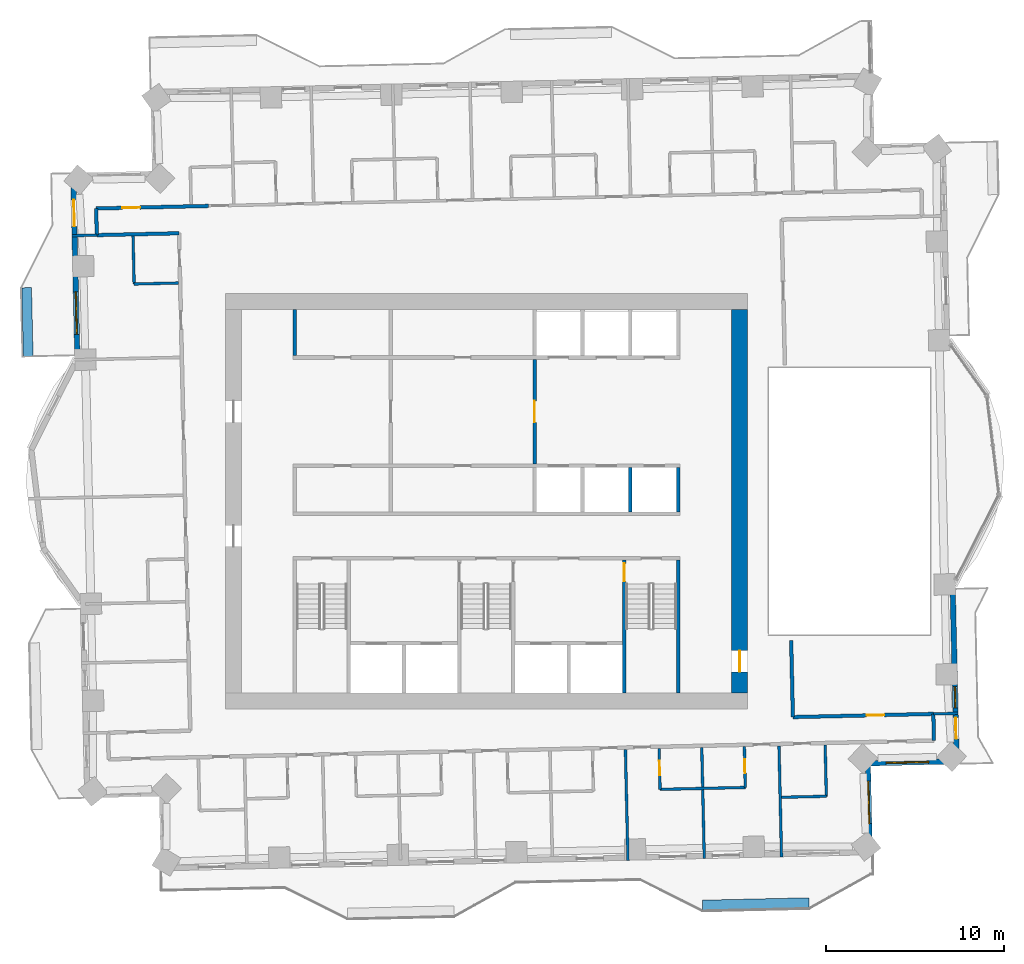
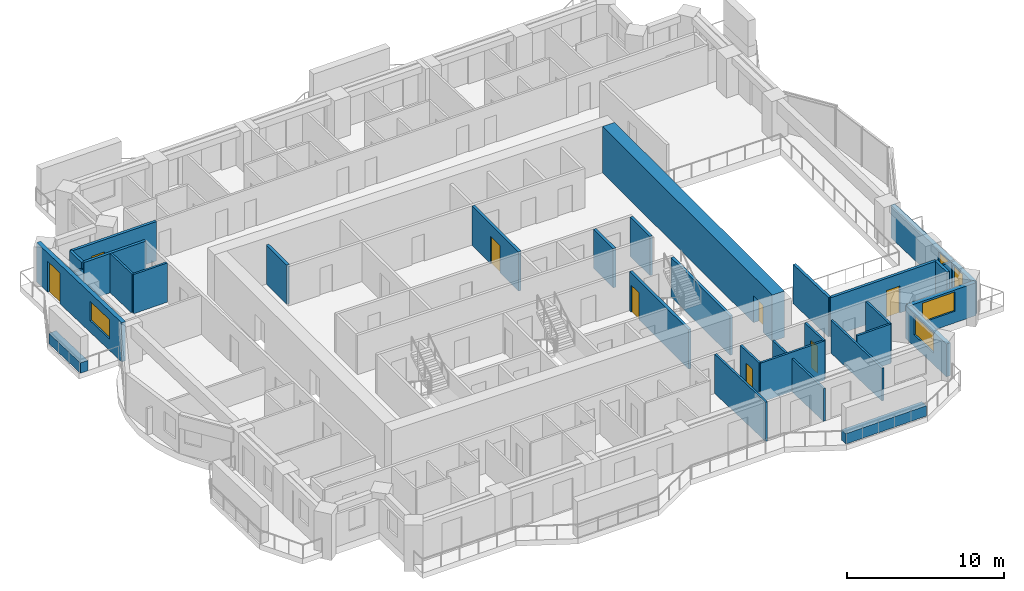
# One storey, part 7 of 14: 31 walls, 9 doors, 4 windows, 13 openings.
"""IFC4 building model written with IfcOpenShell, lengths in metres."""

from ifc_helpers import new_model, si_unit, direction, frame, frame_2d, origin, place, context, subcontext, project, spatial, rectangle, extrude, material, layer, layer_set, type_object, element, fill, save


model = new_model("IFC4")

# Units and contexts
model_context = context("Model", 3, precision=1e-05, world=origin(), true_north=direction((0.0, 1.0)))
body_context = subcontext(model_context, "Body", "Model", "MODEL_VIEW")
ifc_project = project(units=[si_unit("LENGTHUNIT", "METRE"), si_unit("AREAUNIT", "SQUARE_METRE"), si_unit("VOLUMEUNIT", "CUBIC_METRE"), si_unit("PLANEANGLEUNIT", "RADIAN"), si_unit("MASSUNIT", "GRAM", prefix="KILO")], contexts=[model_context])

# Site, building, storey
site_placement = place(None, origin())
site = spatial("IfcSite", under=ifc_project, at=site_placement, CompositionType="ELEMENT")
building_placement = place(site_placement, origin())
building = spatial("IfcBuilding", under=site, at=building_placement, Name="Mangrove Gate Tower", CompositionType="ELEMENT")
storey_placement = place(building_placement, frame((0.0, 0.0, 182.5)))
storey = spatial("IfcBuildingStorey", under=building, at=storey_placement, Name="L46", CompositionType="ELEMENT", Elevation=182.5)

# Wall, opening, door
ifc_material_1 = material(Name="Concrete C32/40", Category="concrete")
ifc_layer_1 = layer(ifc_material_1, 0.199951171875)
ifc_layer_set_1 = layer_set([ifc_layer_1], Name="Core lobby wall 200 C32/40")
wall_type_1 = type_object("IfcWallType", Name="Core lobby wall 200 C32/40", PredefinedType="STANDARD", material=ifc_layer_set_1)
wall_1_placement = place(storey_placement, frame((2.699951171875, 2.10009765625, 0.0), z_axis=(0.0, 0.0, 1.0), x_axis=(0.0, 1.0, 0.0)))
wall_1 = element("IfcWall", 1, at=wall_1_placement, inside=storey, type_object=wall_type_1, Name="WALL-L46-CORE-32", PredefinedType="STANDARD", context=body_context, shape_type="SweptSolid", body=[
    extrude(rectangle(XDim=5.89990234375, YDim=0.199951171875, at=frame_2d((2.949951171875, 0.0))), origin(), (0.0, 0.0, 1.0), 3.050048828125),
])
opening_1_placement = place(wall_1_placement, frame((2.35009765625, 0.0, 0.0)))
opening_1 = element("IfcOpeningElement", 2, at=opening_1_placement, cuts=wall_1, Name="Opening FL12", PredefinedType="OPENING", context=body_context, shape_type="SweptSolid", body=[
    extrude(rectangle(XDim=1.199951171875, YDim=2.10009765625, at=frame_2d((0.60009765625, 1.050048828125))), frame((0.0, 0.10986328125, 0.0), z_axis=(0.0, -1.0, 0.0), x_axis=(1.0, 0.0, 0.0)), (0.0, 0.0, 1.0), 0.219970703125),
])
ifc_material_2 = material(Name="Fire-rated steel door set", Category="steel")
door_type_1 = type_object("IfcDoorType", Name="Lobby door FD60 1200x2100", OperationType="SINGLE_SWING_LEFT", PredefinedType="DOOR", material=ifc_material_2)
door_1_placement = place(opening_1_placement, origin())
door_1 = element("IfcDoor", 3, at=door_1_placement, inside=storey, type_object=door_type_1, Name="Lobby door lift lobby partition", OperationType="SINGLE_SWING_LEFT", OverallHeight=2.10009765625, OverallWidth=1.199951171875, PredefinedType="DOOR", context=body_context, shape_type="SweptSolid", body=[
    extrude(rectangle(XDim=1.199951171875, YDim=2.10009765625, at=frame_2d((0.60009765625, 1.050048828125))), frame((0.0, 0.02490234375, 0.0), z_axis=(0.0, -1.0, 0.0), x_axis=(1.0, 0.0, 0.0)), (0.0, 0.0, 1.0), 0.050048828125),
])
fill(opening_1, door_1)

# Walls
ifc_material_3 = material(Name="Concrete C32/40", Category="concrete")
ifc_layer_2 = layer(ifc_material_3, 0.199951171875)
ifc_layer_set_2 = layer_set([ifc_layer_2], Name="Core room wall 200 C32/40")
wall_type_2 = type_object("IfcWallType", Name="Core room wall 200 C32/40", PredefinedType="STANDARD", material=ifc_layer_set_2)
wall_2_placement = place(storey_placement, frame((-10.800048828125, 8.199951171875, 0.0), z_axis=(0.0, 0.0, 1.0), x_axis=(0.0, 1.0, 0.0)))
element("IfcWall", 4, at=wall_2_placement, inside=storey, type_object=wall_type_2, Name="WALL-L46-CORE-25", PredefinedType="STANDARD", context=body_context, shape_type="SweptSolid", body=[
    extrude(rectangle(XDim=2.60009765625, YDim=0.199951171875, at=frame_2d((1.300048828125, 0.0))), origin(), (0.0, 0.0, 1.0), 3.050048828125),
])
ifc_material_4 = material(Name="Concrete C60/75", Category="concrete")
ifc_layer_3 = layer(ifc_material_4, 0.199951171875)
ifc_layer_set_3 = layer_set([ifc_layer_3], Name="Core shaft wall 200 C60/75")
wall_type_3 = type_object("IfcWallType", Name="Core shaft wall 200 C60/75", PredefinedType="SHEAR", material=ifc_layer_set_3)
for number, where, z_axis, x_axis, name in (
    (5, (8.10009765625, -0.60009765625, 0.0), (0.0, 0.0, 1.0), (0.0, 1.0, 0.0), "WALL-L46-CORE-23"),
    (6, (10.800048828125, -0.60009765625, 0.0), (0.0, 0.0, 1.0), (0.0, 1.0, 0.0), "WALL-L46-CORE-24"),
):
    element("IfcWall", number, at=place(storey_placement, frame(where, z_axis=z_axis, x_axis=x_axis)), inside=storey, type_object=wall_type_3, Name=name, PredefinedType="SHEAR", context=body_context, shape_type="SweptSolid", body=[
        extrude(rectangle(XDim=2.5, YDim=0.199951171875, at=frame_2d((1.25, 0.0))), origin(), (0.0, 0.0, 1.0), 3.050048828125),
    ])

# Wall, opening, door
ifc_material_5 = material(Name="Concrete C60/75", Category="concrete")
ifc_layer_4 = layer(ifc_material_5, 0.199951171875)
ifc_layer_set_4 = layer_set([ifc_layer_4], Name="Core stair wall 200 C60/75")
wall_type_4 = type_object("IfcWallType", Name="Core stair wall 200 C60/75", PredefinedType="SHEAR", material=ifc_layer_set_4)
wall_3_placement = place(storey_placement, frame((7.75, -10.800048828125, 0.0), z_axis=(0.0, 0.0, 1.0), x_axis=(0.0, 1.0, 0.0)))
wall_3 = element("IfcWall", 7, at=wall_3_placement, inside=storey, type_object=wall_type_4, Name="WALL-L46-CORE-13", PredefinedType="SHEAR", context=body_context, shape_type="SweptSolid", body=[
    extrude(rectangle(XDim=7.5, YDim=0.199951171875, at=frame_2d((3.75, 0.0))), origin(), (0.0, 0.0, 1.0), 3.050048828125),
])
opening_2_placement = place(wall_3_placement, frame((6.300048828125, 0.0, 0.0)))
opening_2 = element("IfcOpeningElement", 8, at=opening_2_placement, cuts=wall_3, Name="Opening STD10", PredefinedType="OPENING", context=body_context, shape_type="SweptSolid", body=[
    extrude(rectangle(XDim=1.0, YDim=2.10009765625, at=frame_2d((0.5, 1.050048828125))), frame((0.0, 0.10986328125, 0.0), z_axis=(0.0, -1.0, 0.0), x_axis=(1.0, 0.0, 0.0)), (0.0, 0.0, 1.0), 0.219970703125),
])
ifc_material_6 = material(Name="Fire-rated steel door set", Category="steel")
door_type_2 = type_object("IfcDoorType", Name="Stair door FD60 1000x2100", OperationType="SINGLE_SWING_RIGHT", PredefinedType="DOOR", material=ifc_material_6)
door_2_placement = place(opening_2_placement, origin())
door_2 = element("IfcDoor", 9, at=door_2_placement, inside=storey, type_object=door_type_2, Name="Stair door Stair 3 from fire-fighting lobby", OperationType="SINGLE_SWING_RIGHT", OverallHeight=2.10009765625, OverallWidth=1.0, PredefinedType="DOOR", context=body_context, shape_type="SweptSolid", body=[
    extrude(rectangle(XDim=1.0, YDim=2.10009765625, at=frame_2d((0.5, 1.050048828125))), frame((0.0, 0.02490234375, 0.0), z_axis=(0.0, -1.0, 0.0), x_axis=(1.0, 0.0, 0.0)), (0.0, 0.0, 1.0), 0.050048828125),
])
fill(opening_2, door_2)

# Wall
wall_4_placement = place(storey_placement, frame((10.800048828125, -10.800048828125, 0.0), z_axis=(0.0, 0.0, 1.0), x_axis=(0.0, 1.0, 0.0)))
element("IfcWall", 10, at=wall_4_placement, inside=storey, type_object=wall_type_4, Name="WALL-L46-CORE-14", PredefinedType="SHEAR", context=body_context, shape_type="SweptSolid", body=[
    extrude(rectangle(XDim=7.5, YDim=0.199951171875, at=frame_2d((3.75, 0.0))), origin(), (0.0, 0.0, 1.0), 3.050048828125),
])

# Wall, opening, door
ifc_material_7 = material(Name="Concrete C60/75", Category="concrete")
ifc_layer_5 = layer(ifc_material_7, 0.89990234375)
ifc_layer_set_5 = layer_set([ifc_layer_5], Name="Core wall 900 C60/75")
wall_type_5 = type_object("IfcWallType", Name="Core wall 900 C60/75", PredefinedType="SHEAR", material=ifc_layer_set_5)
wall_5_placement = place(storey_placement, frame((14.25, -10.800048828125, 0.0), z_axis=(0.0, 0.0, 1.0), x_axis=(0.0, 1.0, 0.0)))
wall_5 = element("IfcWall", 11, at=wall_5_placement, inside=storey, type_object=wall_type_5, Name="WALL-L46-CORE-4", PredefinedType="SHEAR", context=body_context, shape_type="SweptSolid", body=[
    extrude(rectangle(XDim=21.60009765625, YDim=0.89990234375, at=frame_2d((10.800048828125, 0.0))), origin(), (0.0, 0.0, 1.0), 3.60009765625),
])
opening_3_placement = place(wall_5_placement, frame((1.199951171875, 0.0, 0.0)))
opening_3 = element("IfcOpeningElement", 12, at=opening_3_placement, cuts=wall_5, Name="Opening CD", PredefinedType="OPENING", context=body_context, shape_type="SweptSolid", body=[
    extrude(rectangle(XDim=1.199951171875, YDim=2.10009765625, at=frame_2d((0.60009765625, 1.050048828125))), frame((0.0, 0.4599609375, 0.0), z_axis=(0.0, -1.0, 0.0), x_axis=(1.0, 0.0, 0.0)), (0.0, 0.0, 1.0), 0.919921875),
])
ifc_material_8 = material(Name="Fire-rated steel door set", Category="steel")
door_type_3 = type_object("IfcDoorType", Name="Core ring door FD60 1200x2100", OperationType="DOUBLE_DOOR_SINGLE_SWING", PredefinedType="DOOR", material=ifc_material_8)
door_3_placement = place(opening_3_placement, origin())
door_3 = element("IfcDoor", 13, at=door_3_placement, inside=storey, type_object=door_type_3, Name="Core ring door E1", OperationType="DOUBLE_DOOR_SINGLE_SWING", OverallHeight=2.10009765625, OverallWidth=1.199951171875, PredefinedType="DOOR", context=body_context, shape_type="SweptSolid", body=[
    extrude(rectangle(XDim=1.199951171875, YDim=2.10009765625, at=frame_2d((0.60009765625, 1.050048828125))), frame((0.0, 0.02490234375, 0.0), z_axis=(0.0, -1.0, 0.0), x_axis=(1.0, 0.0, 0.0)), (0.0, 0.0, 1.0), 0.050048828125),
])
fill(opening_3, door_3)

# Walls
ifc_material_9 = material(Name="Gypsum board on steel stud, EI 60", Category="steel")
ifc_layer_6 = layer(ifc_material_9, 0.199951171875)
ifc_layer_set_6 = layer_set([ifc_layer_6], Name="Corridor wall EI 60")
wall_type_6 = type_object("IfcWallType", Name="Corridor wall EI 60", PredefinedType="PARTITIONING", material=ifc_layer_set_6)
wall_6_placement = place(storey_placement, frame((25.18896484375, -13.468994140625, 0.0), z_axis=(0.0, 0.0, 1.0), x_axis=(-0.022617910375, 0.999744182344, 0.0)))
element("IfcWall", 14, at=wall_6_placement, inside=storey, type_object=wall_type_6, Name="WALL-L46-026", PredefinedType="PARTITIONING", context=body_context, shape_type="SweptSolid", body=[
    extrude(rectangle(XDim=1.50048828125, YDim=0.199951171875, at=frame_2d((0.750244140625, 0.0))), origin(), (0.0, 0.0, 1.0), 3.050048828125),
])
wall_7_placement = place(storey_placement, frame((17.2470703125, -12.14892578125, 0.0), z_axis=(0.0, 0.0, 1.0), x_axis=(-0.022729111383, 0.999741660378, 0.0)))
element("IfcWall", 15, at=wall_7_placement, inside=storey, type_object=wall_type_6, Name="WALL-L46-030", PredefinedType="PARTITIONING", context=body_context, shape_type="SweptSolid", body=[
    extrude(rectangle(XDim=4.318115234375, YDim=0.199951171875, at=frame_2d((2.1591796875, 0.0))), origin(), (0.0, 0.0, 1.0), 3.050048828125),
])

# Wall, opening, door
wall_8_placement = place(storey_placement, frame((17.248046875, -12.14892578125, 0.0), z_axis=(0.0, 0.0, 1.0), x_axis=(0.999741181744, 0.022750154412, 0.0)))
wall_8 = element("IfcWall", 16, at=wall_8_placement, inside=storey, type_object=wall_type_6, Name="WALL-L46-031", PredefinedType="PARTITIONING", context=body_context, shape_type="SweptSolid", body=[
    extrude(rectangle(XDim=7.908935546875, YDim=0.199951171875, at=frame_2d((3.95458984375, 0.0))), origin(), (0.0, 0.0, 1.0), 3.050048828125),
])
opening_4_placement = place(wall_8_placement, frame((4.155029296875, 0.0, 0.0)))
opening_4 = element("IfcOpeningElement", 17, at=opening_4_placement, cuts=wall_8, Name="Opening AD", PredefinedType="OPENING", context=body_context, shape_type="SweptSolid", body=[
    extrude(rectangle(XDim=1.0, YDim=2.10009765625, at=frame_2d((0.5, 1.050048828125))), frame((0.0, 0.10986328125, 0.0), z_axis=(0.0, -1.0, 0.0), x_axis=(1.0, 0.0, 0.0)), (0.0, 0.0, 1.0), 0.219970703125),
])
ifc_material_10 = material(Name="Timber door leaf", Category="wood")
door_type_4 = type_object("IfcDoorType", Name="Amenity door 1000", OperationType="SINGLE_SWING_LEFT", PredefinedType="DOOR", material=ifc_material_10)
door_4_placement = place(opening_4_placement, origin())
door_4 = element("IfcDoor", 18, at=door_4_placement, inside=storey, type_object=door_type_4, Name="DOOR-L46-LNG-c3b", OperationType="SINGLE_SWING_LEFT", OverallHeight=2.10009765625, OverallWidth=1.0, PredefinedType="DOOR", context=body_context, shape_type="SweptSolid", body=[
    extrude(rectangle(XDim=1.0, YDim=2.10009765625, at=frame_2d((0.5, 1.050048828125))), frame((0.0, 0.02490234375, 0.0), z_axis=(0.0, -1.0, 0.0), x_axis=(1.0, 0.0, 0.0)), (0.0, 0.0, 1.0), 0.050048828125),
])
fill(opening_4, door_4)

# Walls
wall_9_placement = place(storey_placement, frame((-21.948974609375, 14.989013671875, 0.0), z_axis=(0.0, 0.0, 1.0), x_axis=(0.999743491588, 0.022648422179, 0.0)))
element("IfcWall", 19, at=wall_9_placement, inside=storey, type_object=wall_type_6, Name="WALL-L46-043", PredefinedType="PARTITIONING", context=body_context, shape_type="SweptSolid", body=[
    extrude(rectangle(XDim=4.63525390625, YDim=0.199951171875, at=frame_2d((2.317626953125, 0.0))), origin(), (0.0, 0.0, 1.0), 3.050048828125),
])
wall_10_placement = place(storey_placement, frame((-21.948974609375, 14.992919921875, 0.0), z_axis=(0.0, 0.0, 1.0), x_axis=(-0.022617910375, 0.999744182344, 0.0)))
element("IfcWall", 20, at=wall_10_placement, inside=storey, type_object=wall_type_6, Name="WALL-L46-046", PredefinedType="PARTITIONING", context=body_context, shape_type="SweptSolid", body=[
    extrude(rectangle(XDim=1.50048828125, YDim=0.199951171875, at=frame_2d((0.750244140625, 0.0))), origin(), (0.0, 0.0, 1.0), 3.050048828125),
])

# Wall, opening, door
wall_11_placement = place(storey_placement, frame((-21.98291015625, 16.489013671875, 0.0), z_axis=(0.0, 0.0, 1.0), x_axis=(0.999744930163, 0.022584831499, 0.0)))
wall_11 = element("IfcWall", 21, at=wall_11_placement, inside=storey, type_object=wall_type_6, Name="WALL-L46-048", PredefinedType="PARTITIONING", context=body_context, shape_type="SweptSolid", body=[
    extrude(rectangle(XDim=6.334716796875, YDim=0.199951171875, at=frame_2d((3.16748046875, 0.0))), origin(), (0.0, 0.0, 1.0), 3.050048828125),
])
opening_5_placement = place(wall_11_placement, frame((1.47509765625, 0.0, 0.0)))
opening_5 = element("IfcOpeningElement", 22, at=opening_5_placement, cuts=wall_11, Name="Opening AD", PredefinedType="OPENING", context=body_context, shape_type="SweptSolid", body=[
    extrude(rectangle(XDim=1.0, YDim=2.10009765625, at=frame_2d((0.5, 1.050048828125))), frame((0.0, 0.10986328125, 0.0), z_axis=(0.0, -1.0, 0.0), x_axis=(1.0, 0.0, 0.0)), (0.0, 0.0, 1.0), 0.219970703125),
])
door_5_placement = place(opening_5_placement, origin())
door_5 = element("IfcDoor", 23, at=door_5_placement, inside=storey, type_object=door_type_4, Name="DOOR-L46-KIT-c5a", OperationType="SINGLE_SWING_RIGHT", OverallHeight=2.10009765625, OverallWidth=1.0, PredefinedType="DOOR", context=body_context, shape_type="SweptSolid", body=[
    extrude(rectangle(XDim=1.0, YDim=2.10009765625, at=frame_2d((0.5, 1.050048828125))), frame((0.0, 0.02490234375, 0.0), z_axis=(0.0, -1.0, 0.0), x_axis=(1.0, 0.0, 0.0)), (0.0, 0.0, 1.0), 0.050048828125),
])
fill(opening_5, door_5)

# Wall, openings, door, window
ifc_material_11 = material(Name="Limestone", Category="masonry")
ifc_layer_7 = layer(ifc_material_11, 0.0400390625, Name="Limestone cladding")
ifc_material_12 = material(Name="Ventilated air gap")
ifc_layer_8 = layer(ifc_material_12, 0.0400390625, Name="Ventilated cavity")
ifc_material_13 = material(Name="Mineral wool insulation")
ifc_layer_9 = layer(ifc_material_13, 0.06005859375, Name="Insulation")
ifc_material_14 = material(Name="Breather membrane")
ifc_layer_10 = layer(ifc_material_14, 0.001953125, Name="Breather membrane")
ifc_material_15 = material(Name="Concrete C20/25 blockwork", Category="masonry")
ifc_layer_11 = layer(ifc_material_15, 0.14990234375, Name="Blockwork backing wall")
ifc_material_16 = material(Name="Gypsum plaster")
ifc_layer_12 = layer(ifc_material_16, 0.008056640625, Name="Internal plaster")
ifc_layer_set_7 = layer_set([ifc_layer_7, ifc_layer_8, ifc_layer_9, ifc_layer_10, ifc_layer_11, ifc_layer_12], Name="External wall 300 limestone cladding")
wall_type_7 = type_object("IfcWallType", Name="External wall 300 limestone cladding", PredefinedType="SOLIDWALL", material=ifc_layer_set_7)
wall_12_placement = place(storey_placement, frame((26.466064453125, -14.639892578125, 0.0), z_axis=(0.0, 0.0, 1.0), x_axis=(-0.022735782058, 0.999741508698, 0.0)))
wall_12 = element("IfcWall", 24, at=wall_12_placement, inside=storey, type_object=wall_type_7, Name="WALL-L46-E0", PredefinedType="SOLIDWALL", context=body_context, shape_type="SweptSolid", body=[
    extrude(rectangle(XDim=10.029541015625, YDim=0.300048828125, at=frame_2d((5.0146484375, 0.0))), origin(), (0.0, 0.0, 1.0), 2.550048828125),
])
opening_6_placement = place(wall_12_placement, frame((1.260009765625, 0.0, 0.0)))
opening_6 = element("IfcOpeningElement", 25, at=opening_6_placement, cuts=wall_12, Name="Opening BD2", PredefinedType="OPENING", context=body_context, shape_type="SweptSolid", body=[
    extrude(rectangle(XDim=1.199951171875, YDim=2.39990234375, at=frame_2d((0.60009765625, 1.199951171875))), frame((0.0, 0.159912109375, 0.0), z_axis=(0.0, -1.0, 0.0), x_axis=(1.0, 0.0, 0.0)), (0.0, 0.0, 1.0), 0.320068359375),
])
opening_7_placement = place(wall_12_placement, frame((3.006103515625, 0.0, 0.89990234375)))
opening_7 = element("IfcOpeningElement", 26, at=opening_7_placement, cuts=wall_12, Name="Opening W1", PredefinedType="OPENING", context=body_context, shape_type="SweptSolid", body=[
    extrude(rectangle(XDim=1.199951171875, YDim=1.5, at=frame_2d((0.60009765625, 0.75))), frame((0.0, 0.159912109375, 0.0), z_axis=(0.0, -1.0, 0.0), x_axis=(1.0, 0.0, 0.0)), (0.0, 0.0, 1.0), 0.320068359375),
])
ifc_material_17 = material(Name="Aluminium frame with laminated clear glass", Category="aluminium")
door_type_5 = type_object("IfcDoorType", Name="Balcony sliding door 1200x2400", OperationType="SLIDING_TO_LEFT", PredefinedType="DOOR", material=ifc_material_17)
door_6_placement = place(opening_6_placement, origin())
door_6 = element("IfcDoor", 27, at=door_6_placement, inside=storey, type_object=door_type_5, Name="DOOR-L46-E0-1", OperationType="SLIDING_TO_LEFT", OverallHeight=2.39990234375, OverallWidth=1.199951171875, PredefinedType="DOOR", context=body_context, shape_type="SweptSolid", body=[
    extrude(rectangle(XDim=1.199951171875, YDim=2.39990234375, at=frame_2d((0.60009765625, 1.199951171875))), frame((0.0, 0.02490234375, 0.0), z_axis=(0.0, -1.0, 0.0), x_axis=(1.0, 0.0, 0.0)), (0.0, 0.0, 1.0), 0.050048828125),
])
fill(opening_6, door_6)
ifc_material_18 = material(Name="Aluminium frame with double-glazed low-e glass", Category="aluminium")
window_type_1 = type_object("IfcWindowType", Name="Side lite 1200x1500", PartitioningType="SINGLE_PANEL", PredefinedType="WINDOW", material=ifc_material_18)
window_1_placement = place(opening_7_placement, origin())
window_1 = element("IfcWindow", 28, at=window_1_placement, inside=storey, type_object=window_type_1, Name="WIN-L46-E0-2", OverallHeight=1.5, OverallWidth=1.199951171875, PartitioningType="SINGLE_PANEL", PredefinedType="WINDOW", context=body_context, shape_type="SweptSolid", body=[
    extrude(rectangle(XDim=1.199951171875, YDim=1.5, at=frame_2d((0.60009765625, 0.75))), frame((0.0, 0.030029296875, 0.0), z_axis=(0.0, -1.0, 0.0), x_axis=(1.0, 0.0, 0.0)), (0.0, 0.0, 1.0), 0.06005859375),
])
fill(opening_7, window_1)

wall_13_placement = place(storey_placement, frame((-23.27490234375, 18.340087890625, 0.0), z_axis=(0.0, 0.0, 1.0), x_axis=(0.022705985163, -0.999742185885, 0.0)))
wall_13 = element("IfcWall", 29, at=wall_13_placement, inside=storey, type_object=wall_type_7, Name="WALL-L46-W8", PredefinedType="SOLIDWALL", context=body_context, shape_type="SweptSolid", body=[
    extrude(rectangle(XDim=10.4296875, YDim=0.300048828125, at=frame_2d((5.21484375, 0.0))), origin(), (0.0, 0.0, 1.0), 3.050048828125),
])
opening_8_placement = place(wall_13_placement, frame((1.35888671875, 0.0, 0.0)))
opening_8 = element("IfcOpeningElement", 30, at=opening_8_placement, cuts=wall_13, Name="Opening BD1", PredefinedType="OPENING", context=body_context, shape_type="SweptSolid", body=[
    extrude(rectangle(XDim=1.5, YDim=2.39990234375, at=frame_2d((0.75, 1.199951171875))), frame((0.0, 0.159912109375, 0.0), z_axis=(0.0, -1.0, 0.0), x_axis=(1.0, 0.0, 0.0)), (0.0, 0.0, 1.0), 0.320068359375),
])
opening_9_placement = place(wall_13_placement, frame((6.54296875, 0.0, 0.89990234375)))
opening_9 = element("IfcOpeningElement", 31, at=opening_9_placement, cuts=wall_13, Name="Opening W2", PredefinedType="OPENING", context=body_context, shape_type="SweptSolid", body=[
    extrude(rectangle(XDim=2.39990234375, YDim=1.5, at=frame_2d((1.199951171875, 0.75))), frame((0.0, 0.159912109375, 0.0), z_axis=(0.0, -1.0, 0.0), x_axis=(1.0, 0.0, 0.0)), (0.0, 0.0, 1.0), 0.320068359375),
])
ifc_material_19 = material(Name="Aluminium frame with laminated clear glass", Category="aluminium")
door_type_6 = type_object("IfcDoorType", Name="Balcony sliding door 1500x2400", OperationType="SLIDING_TO_LEFT", PredefinedType="DOOR", material=ifc_material_19)
door_7_placement = place(opening_8_placement, origin())
door_7 = element("IfcDoor", 32, at=door_7_placement, inside=storey, type_object=door_type_6, Name="DOOR-L46-W8-1", OperationType="SLIDING_TO_LEFT", OverallHeight=2.39990234375, OverallWidth=1.5, PredefinedType="DOOR", context=body_context, shape_type="SweptSolid", body=[
    extrude(rectangle(XDim=1.5, YDim=2.39990234375, at=frame_2d((0.75, 1.199951171875))), frame((0.0, 0.02490234375, 0.0), z_axis=(0.0, -1.0, 0.0), x_axis=(1.0, 0.0, 0.0)), (0.0, 0.0, 1.0), 0.050048828125),
])
fill(opening_8, door_7)
ifc_material_20 = material(Name="Aluminium frame with double-glazed low-e glass", Category="aluminium")
window_type_2 = type_object("IfcWindowType", Name="Corner room window 2400x1500", PartitioningType="DOUBLE_PANEL_VERTICAL", PredefinedType="WINDOW", material=ifc_material_20)
window_2_placement = place(opening_9_placement, origin())
window_2 = element("IfcWindow", 33, at=window_2_placement, inside=storey, type_object=window_type_2, Name="WIN-L46-W8-2", OverallHeight=1.5, OverallWidth=2.39990234375, PartitioningType="DOUBLE_PANEL_VERTICAL", PredefinedType="WINDOW", context=body_context, shape_type="SweptSolid", body=[
    extrude(rectangle(XDim=2.39990234375, YDim=1.5, at=frame_2d((1.199951171875, 0.75))), frame((0.0, 0.030029296875, 0.0), z_axis=(0.0, -1.0, 0.0), x_axis=(1.0, 0.0, 0.0)), (0.0, 0.0, 1.0), 0.06005859375),
])
fill(opening_9, window_2)

# Wall, opening, window
wall_14_placement = place(storey_placement, frame((21.5810546875, -19.751953125, 0.0), z_axis=(0.0, 0.0, 1.0), x_axis=(-0.022801259434, 0.999740017489, 0.0)))
wall_14 = element("IfcWall", 34, at=wall_14_placement, inside=storey, type_object=wall_type_7, Name="WALL-L46-E14", PredefinedType="SOLIDWALL", context=body_context, shape_type="SweptSolid", body=[
    extrude(rectangle(XDim=5.000244140625, YDim=0.300048828125, at=frame_2d((2.5, 0.0))), origin(), (0.0, 0.0, 1.0), 2.550048828125),
])
opening_10_placement = place(wall_14_placement, frame((1.597900390625, 0.0, 0.89990234375)))
opening_10 = element("IfcOpeningElement", 35, at=opening_10_placement, cuts=wall_14, Name="Opening W2", PredefinedType="OPENING", context=body_context, shape_type="SweptSolid", body=[
    extrude(rectangle(XDim=2.39990234375, YDim=1.5, at=frame_2d((1.199951171875, 0.75))), frame((0.0, 0.159912109375, 0.0), z_axis=(0.0, -1.0, 0.0), x_axis=(1.0, 0.0, 0.0)), (0.0, 0.0, 1.0), 0.320068359375),
])
window_3_placement = place(opening_10_placement, origin())
window_3 = element("IfcWindow", 36, at=window_3_placement, inside=storey, type_object=window_type_2, Name="WIN-L46-E14-1", OverallHeight=1.5, OverallWidth=2.39990234375, PartitioningType="DOUBLE_PANEL_VERTICAL", PredefinedType="WINDOW", context=body_context, shape_type="SweptSolid", body=[
    extrude(rectangle(XDim=2.39990234375, YDim=1.5, at=frame_2d((1.199951171875, 0.75))), frame((0.0, 0.030029296875, 0.0), z_axis=(0.0, -1.0, 0.0), x_axis=(1.0, 0.0, 0.0)), (0.0, 0.0, 1.0), 0.06005859375),
])
fill(opening_10, window_3)

wall_15_placement = place(storey_placement, frame((21.467041015625, -14.7529296875, 0.0), z_axis=(0.0, 0.0, 1.0), x_axis=(0.999744450377, 0.022606059803, 0.0)))
wall_15 = element("IfcWall", 37, at=wall_15_placement, inside=storey, type_object=wall_type_7, Name="WALL-L46-S15", PredefinedType="SOLIDWALL", context=body_context, shape_type="SweptSolid", body=[
    extrude(rectangle(XDim=5.000244140625, YDim=0.300048828125, at=frame_2d((2.5, 0.0))), origin(), (0.0, 0.0, 1.0), 2.550048828125),
])
opening_11_placement = place(wall_15_placement, frame((1.02392578125, 0.0, 0.89990234375)))
opening_11 = element("IfcOpeningElement", 38, at=opening_11_placement, cuts=wall_15, Name="Opening W2", PredefinedType="OPENING", context=body_context, shape_type="SweptSolid", body=[
    extrude(rectangle(XDim=2.39990234375, YDim=1.5, at=frame_2d((1.199951171875, 0.75))), frame((0.0, 0.159912109375, 0.0), z_axis=(0.0, -1.0, 0.0), x_axis=(1.0, 0.0, 0.0)), (0.0, 0.0, 1.0), 0.320068359375),
])
window_4_placement = place(opening_11_placement, origin())
window_4 = element("IfcWindow", 39, at=window_4_placement, inside=storey, type_object=window_type_2, Name="WIN-L46-S15-1", OverallHeight=1.5, OverallWidth=2.39990234375, PartitioningType="DOUBLE_PANEL_VERTICAL", PredefinedType="WINDOW", context=body_context, shape_type="SweptSolid", body=[
    extrude(rectangle(XDim=2.39990234375, YDim=1.5, at=frame_2d((1.199951171875, 0.75))), frame((0.0, 0.030029296875, 0.0), z_axis=(0.0, -1.0, 0.0), x_axis=(1.0, 0.0, 0.0)), (0.0, 0.0, 1.0), 0.06005859375),
])
fill(opening_11, window_4)

# Walls
ifc_material_21 = material(Name="Gypsum board on steel stud, EI 60", Category="steel")
ifc_layer_13 = layer(ifc_material_21, 0.14990234375)
ifc_layer_set_8 = layer_set([ifc_layer_13], Name="Party wall 150 EI 60")
wall_type_8 = type_object("IfcWallType", Name="Party wall 150 EI 60", PredefinedType="PARTITIONING", material=ifc_layer_set_8)
wall_16_placement = place(storey_placement, frame((7.9580078125, -20.2109375, 0.0), z_axis=(0.0, 0.0, 1.0), x_axis=(-0.02273560333, 0.999741512763, 0.0)))
element("IfcWall", 40, at=wall_16_placement, inside=storey, type_object=wall_type_8, Name="WALL-L46-006", PredefinedType="PARTITIONING", context=body_context, shape_type="SweptSolid", body=[
    extrude(rectangle(XDim=6.249755859375, YDim=0.14990234375, at=frame_2d((3.125, 0.0))), origin(), (0.0, 0.0, 1.0), 3.050048828125),
])
wall_17_placement = place(storey_placement, frame((12.257080078125, -20.114013671875, 0.0), z_axis=(0.0, 0.0, 1.0), x_axis=(-0.022732052173, 0.999741593515, 0.0)))
element("IfcWall", 41, at=wall_17_placement, inside=storey, type_object=wall_type_8, Name="WALL-L46-007", PredefinedType="PARTITIONING", context=body_context, shape_type="SweptSolid", body=[
    extrude(rectangle(XDim=6.250732421875, YDim=0.14990234375, at=frame_2d((3.12548828125, 0.0))), origin(), (0.0, 0.0, 1.0), 2.550048828125),
])
wall_18_placement = place(storey_placement, frame((16.60498046875, -20.014892578125, 0.0), z_axis=(0.0, 0.0, 1.0), x_axis=(-0.022541260291, 0.999745913512, 0.0)))
element("IfcWall", 42, at=wall_18_placement, inside=storey, type_object=wall_type_8, Name="WALL-L46-008", PredefinedType="PARTITIONING", context=body_context, shape_type="SweptSolid", body=[
    extrude(rectangle(XDim=6.24951171875, YDim=0.14990234375, at=frame_2d((3.124755859375, 0.0))), origin(), (0.0, 0.0, 1.0), 2.550048828125),
])
wall_19_placement = place(storey_placement, frame((16.60400390625, -16.6640625, 0.0), z_axis=(0.0, 0.0, 1.0), x_axis=(0.999744126128, 0.022620395041, 0.0)))
element("IfcWall", 43, at=wall_19_placement, inside=storey, type_object=wall_type_8, Name="WALL-L46-011", PredefinedType="PARTITIONING", context=body_context, shape_type="SweptSolid", body=[
    extrude(rectangle(XDim=2.525634765625, YDim=0.14990234375, at=frame_2d((1.2626953125, 0.0))), origin(), (0.0, 0.0, 1.0), 3.050048828125),
])
wall_20_placement = place(storey_placement, frame((19.12890625, -16.60693359375, 0.0), z_axis=(0.0, 0.0, 1.0), x_axis=(-0.022732880677, 0.999741574676, 0.0)))
element("IfcWall", 44, at=wall_20_placement, inside=storey, type_object=wall_type_8, Name="WALL-L46-012", PredefinedType="PARTITIONING", context=body_context, shape_type="SweptSolid", body=[
    extrude(rectangle(XDim=2.899658203125, YDim=0.14990234375, at=frame_2d((1.44970703125, 0.0))), origin(), (0.0, 0.0, 1.0), 3.050048828125),
])
wall_21_placement = place(storey_placement, frame((9.76806640625, -16.218994140625, 0.0), z_axis=(0.0, 0.0, 1.0), x_axis=(0.999742570398, 0.022689048768, 0.0)))
element("IfcWall", 45, at=wall_21_placement, inside=storey, type_object=wall_type_8, Name="WALL-L46-021", PredefinedType="PARTITIONING", context=body_context, shape_type="SweptSolid", body=[
    extrude(rectangle(XDim=4.799072265625, YDim=0.14990234375, at=frame_2d((2.3994140625, 0.0))), origin(), (0.0, 0.0, 1.0), 3.050048828125),
])

# Wall, opening, door
wall_22_placement = place(storey_placement, frame((9.76806640625, -16.218994140625, 0.0), z_axis=(0.0, 0.0, 1.0), x_axis=(-0.023037316498, 0.999734605807, 0.0)))
wall_22 = element("IfcWall", 46, at=wall_22_placement, inside=storey, type_object=wall_type_8, Name="WALL-L46-022", PredefinedType="PARTITIONING", context=body_context, shape_type="SweptSolid", body=[
    extrude(rectangle(XDim=2.299560546875, YDim=0.14990234375, at=frame_2d((1.14990234375, 0.0))), origin(), (0.0, 0.0, 1.0), 3.050048828125),
])
opening_12_placement = place(wall_22_placement, frame((0.800048828125, 0.0, 0.0)))
opening_12 = element("IfcOpeningElement", 47, at=opening_12_placement, cuts=wall_22, Name="Opening ED", PredefinedType="OPENING", context=body_context, shape_type="SweptSolid", body=[
    extrude(rectangle(XDim=0.800048828125, YDim=2.10009765625, at=frame_2d((0.39990234375, 1.050048828125))), frame((0.0, 0.0849609375, 0.0), z_axis=(0.0, -1.0, 0.0), x_axis=(1.0, 0.0, 0.0)), (0.0, 0.0, 1.0), 0.169921875),
])
ifc_material_22 = material(Name="Timber door leaf", Category="wood")
door_type_7 = type_object("IfcDoorType", Name="En-suite door 800", OperationType="SINGLE_SWING_LEFT", PredefinedType="DOOR", material=ifc_material_22)
door_8_placement = place(opening_12_placement, origin())
door_8 = element("IfcDoor", 48, at=door_8_placement, inside=storey, type_object=door_type_7, Name="DOOR-L46-ENS-c206", OperationType="SINGLE_SWING_RIGHT", OverallHeight=2.10009765625, OverallWidth=0.800048828125, PredefinedType="DOOR", context=body_context, shape_type="SweptSolid", body=[
    extrude(rectangle(XDim=0.800048828125, YDim=2.10009765625, at=frame_2d((0.39990234375, 1.050048828125))), frame((0.0, 0.02490234375, 0.0), z_axis=(0.0, -1.0, 0.0), x_axis=(1.0, 0.0, 0.0)), (0.0, 0.0, 1.0), 0.050048828125),
])
fill(opening_12, door_8)

wall_23_placement = place(storey_placement, frame((14.56591796875, -16.110107421875, 0.0), z_axis=(0.0, 0.0, 1.0), x_axis=(-0.022612884682, 0.999744296031, 0.0)))
wall_23 = element("IfcWall", 49, at=wall_23_placement, inside=storey, type_object=wall_type_8, Name="WALL-L46-023", PredefinedType="PARTITIONING", context=body_context, shape_type="SweptSolid", body=[
    extrude(rectangle(XDim=2.299560546875, YDim=0.14990234375, at=frame_2d((1.14990234375, 0.0))), origin(), (0.0, 0.0, 1.0), 3.050048828125),
])
opening_13_placement = place(wall_23_placement, frame((0.800048828125, 0.0, 0.0)))
opening_13 = element("IfcOpeningElement", 50, at=opening_13_placement, cuts=wall_23, Name="Opening ED", PredefinedType="OPENING", context=body_context, shape_type="SweptSolid", body=[
    extrude(rectangle(XDim=0.800048828125, YDim=2.10009765625, at=frame_2d((0.39990234375, 1.050048828125))), frame((0.0, 0.0849609375, 0.0), z_axis=(0.0, -1.0, 0.0), x_axis=(1.0, 0.0, 0.0)), (0.0, 0.0, 1.0), 0.169921875),
])
door_9_placement = place(opening_13_placement, origin())
door_9 = element("IfcDoor", 51, at=door_9_placement, inside=storey, type_object=door_type_7, Name="DOOR-L46-ENS-c307", OperationType="SINGLE_SWING_LEFT", OverallHeight=2.10009765625, OverallWidth=0.800048828125, PredefinedType="DOOR", context=body_context, shape_type="SweptSolid", body=[
    extrude(rectangle(XDim=0.800048828125, YDim=2.10009765625, at=frame_2d((0.39990234375, 1.050048828125))), frame((0.0, 0.02490234375, 0.0), z_axis=(0.0, -1.0, 0.0), x_axis=(1.0, 0.0, 0.0)), (0.0, 0.0, 1.0), 0.050048828125),
])
fill(opening_13, door_9)

# Walls
wall_24_placement = place(storey_placement, frame((25.15087890625, -11.968994140625, 0.0), z_axis=(0.0, 0.0, 1.0), x_axis=(0.999740667531, 0.022772739949, 0.0)))
element("IfcWall", 52, at=wall_24_placement, inside=storey, type_object=wall_type_8, Name="WALL-L46-032", PredefinedType="PARTITIONING", context=body_context, shape_type="SweptSolid", body=[
    extrude(rectangle(XDim=1.404296875, YDim=0.14990234375, at=frame_2d((0.7021484375, 0.0))), origin(), (0.0, 0.0, 1.0), 2.550048828125),
])
wall_25_placement = place(storey_placement, frame((-19.85107421875, 12.236083984375, 0.0), z_axis=(0.0, 0.0, 1.0), x_axis=(0.999741230352, 0.02274801823, 0.0)))
element("IfcWall", 53, at=wall_25_placement, inside=storey, type_object=wall_type_8, Name="WALL-L46-040", PredefinedType="PARTITIONING", context=body_context, shape_type="SweptSolid", body=[
    extrude(rectangle(XDim=2.500732421875, YDim=0.14990234375, at=frame_2d((1.25048828125, 0.0))), origin(), (0.0, 0.0, 1.0), 3.050048828125),
])
wall_26_placement = place(storey_placement, frame((-19.845947265625, 12.239990234375, 0.0), z_axis=(0.0, 0.0, 1.0), x_axis=(-0.02260842146, 0.999744396973, 0.0)))
element("IfcWall", 54, at=wall_26_placement, inside=storey, type_object=wall_type_8, Name="WALL-L46-041", PredefinedType="PARTITIONING", context=body_context, shape_type="SweptSolid", body=[
    extrude(rectangle(XDim=2.69970703125, YDim=0.14990234375, at=frame_2d((1.349853515625, 0.0))), origin(), (0.0, 0.0, 1.0), 3.050048828125),
])
wall_27_placement = place(storey_placement, frame((-23.347900390625, 14.95703125, 0.0), z_axis=(0.0, 0.0, 1.0), x_axis=(0.999740216184, 0.022792545827, 0.0)))
element("IfcWall", 55, at=wall_27_placement, inside=storey, type_object=wall_type_8, Name="WALL-L46-042", PredefinedType="PARTITIONING", context=body_context, shape_type="SweptSolid", body=[
    extrude(rectangle(XDim=1.403076171875, YDim=0.14990234375, at=frame_2d((0.70166015625, 0.0))), origin(), (0.0, 0.0, 1.0), 2.550048828125),
])
ifc_material_23 = material(Name="Concrete C32/40", Category="concrete")
ifc_layer_14 = layer(ifc_material_23, 0.199951171875, Name="Planter trough wall")
ifc_material_24 = material(Name="Bituminous waterproofing membrane")
ifc_layer_15 = layer(ifc_material_24, 0.0048828125, Name="Waterproofing")
ifc_material_25 = material(Name="Drainage board and gravel")
ifc_layer_16 = layer(ifc_material_25, 0.044921875, Name="Drainage layer")
ifc_material_26 = material(Name="Planting soil")
ifc_layer_17 = layer(ifc_material_26, 0.300048828125, Name="Growing medium")
ifc_layer_set_9 = layer_set([ifc_layer_14, ifc_layer_15, ifc_layer_16, ifc_layer_17], Name="Planter wall 550 C32/40")
wall_type_9 = type_object("IfcWallType", Name="Planter wall 550 C32/40", PredefinedType="USERDEFINED", material=ifc_layer_set_9)
wall_28_placement = place(storey_placement, frame((-25.81005859375, 8.155029296875, 0.0), z_axis=(0.0, 0.0, 1.0), x_axis=(-0.022681332769, 0.999742745482, 0.0)))
element("IfcWall", 56, at=wall_28_placement, inside=storey, type_object=wall_type_9, Name="PLANTER L46 W0.1", ObjectType="PLANTER", PredefinedType="USERDEFINED", context=body_context, shape_type="SweptSolid", body=[
    extrude(rectangle(XDim=3.875, YDim=0.550048828125, at=frame_2d((1.9375, 0.0))), origin(), (0.0, 0.0, 1.0), 0.800048828125),
])
wall_29_placement = place(storey_placement, frame((12.156005859375, -22.73193359375, 0.0), z_axis=(0.0, 0.0, 1.0), x_axis=(0.999743178102, 0.022662255828, 0.0)))
element("IfcWall", 57, at=wall_29_placement, inside=storey, type_object=wall_type_9, Name="PLANTER L46 S1.1", ObjectType="PLANTER", PredefinedType="USERDEFINED", context=body_context, shape_type="SweptSolid", body=[
    extrude(rectangle(XDim=6.00048828125, YDim=0.550048828125, at=frame_2d((3.000244140625, 0.0))), origin(), (0.0, 0.0, 1.0), 0.800048828125),
])

save(model, "model.ifc")
